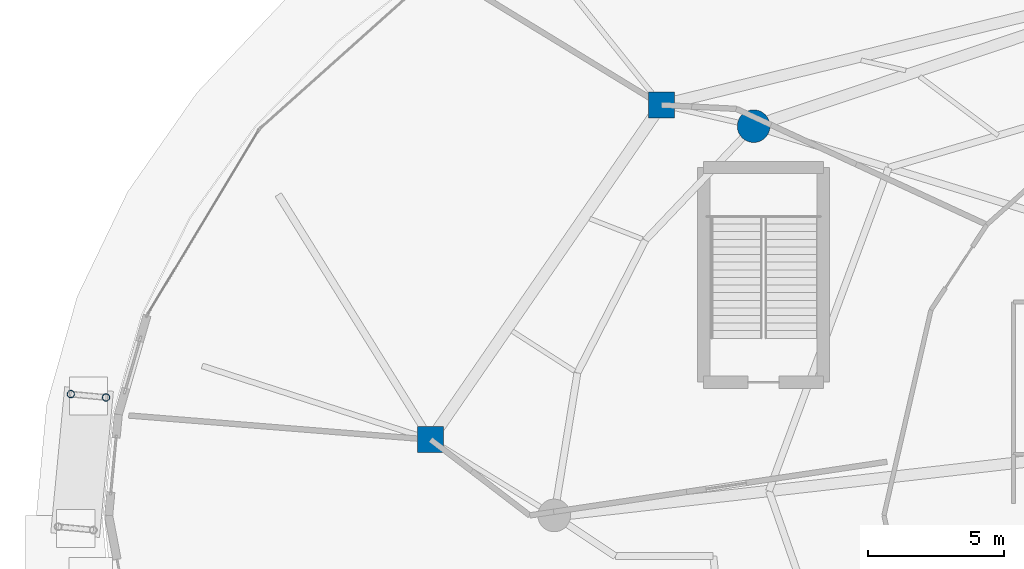
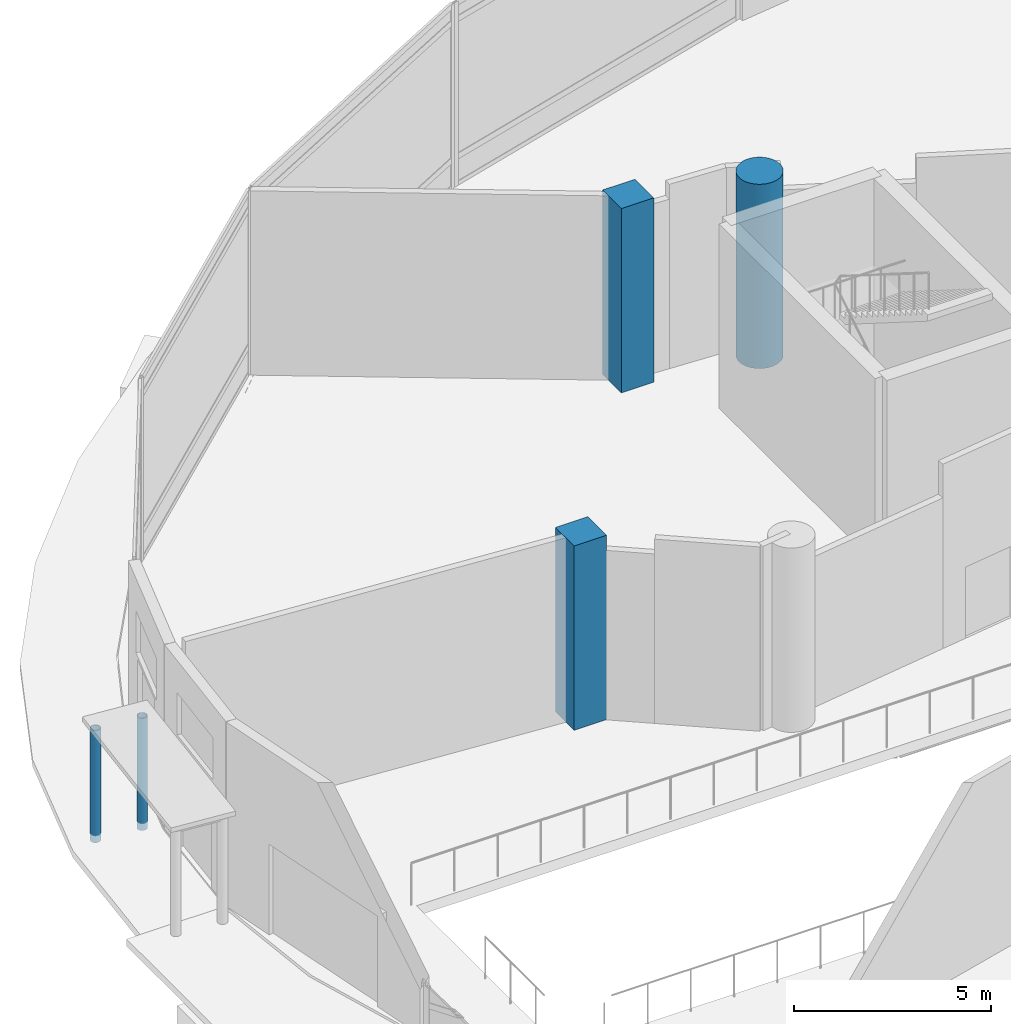
# One storey, part 4 of 40: 5 columns.
"""IFC4 building model written with IfcOpenShell, lengths in metres."""

from ifc_helpers import new_model, si_unit, direction, frame, origin, origin_2d, place, context, subcontext, project, spatial, rectangle, circle, hollow_circle, extrude, material, material_profile, profile_set, type_object, element, save


model = new_model("IFC4")

# Units and contexts
model_context = context("Model", 3, precision=1e-05, world=origin(), true_north=direction((0.0, 1.0)))
body_context = subcontext(model_context, "Body", "Model", "MODEL_VIEW")
ifc_project = project(units=[si_unit("LENGTHUNIT", "METRE"), si_unit("AREAUNIT", "SQUARE_METRE"), si_unit("VOLUMEUNIT", "CUBIC_METRE"), si_unit("PLANEANGLEUNIT", "RADIAN"), si_unit("MASSUNIT", "GRAM", prefix="KILO")], contexts=[model_context])

# Site, building, storey
site_placement = place(None, origin())
site = spatial("IfcSite", under=ifc_project, at=site_placement, CompositionType="ELEMENT")
building_placement = place(site_placement, origin())
building = spatial("IfcBuilding", under=site, at=building_placement, Name="Nuhasar Tower", CompositionType="ELEMENT")
storey_placement = place(building_placement, origin())
storey = spatial("IfcBuildingStorey", under=building, at=storey_placement, Name="L00", CompositionType="ELEMENT", Elevation=0.0)

# Columns
ifc_material_1 = material(Name="Concrete C80/95", Category="concrete")
ifc_material_profile_1 = material_profile(ifc_material_1, circle(Radius=0.60009765625, at=origin_2d()), Name="CFT1200")
ifc_profile_set_1 = profile_set([ifc_material_profile_1], Name="Concrete C80/95")
column_type_1 = type_object("IfcColumnType", Name="COL-CFT-1200", PredefinedType="COLUMN", material=ifc_profile_set_1)
column_placement = place(storey_placement, frame((21.287109375, 41.118896484375, 0.0), z_axis=(0.0, 0.0, 1.0), x_axis=(1.0, 0.0, 0.0)))
element("IfcColumn", 1, at=column_placement, inside=storey, type_object=column_type_1, Name="L00 Perimeter Composite Column TC-10", PredefinedType="COLUMN", context=body_context, shape_type="SweptSolid", body=[
    extrude(circle(Radius=0.60009765625, at=origin_2d()), origin(), (0.0, 0.0, 1.0), 5.699951171875),
])
ifc_material_2 = material(Name="Steel S460", Category="steel")
ifc_material_profile_2 = material_profile(ifc_material_2, hollow_circle(Radius=0.136474609375, WallThickness=0.0126953125, at=origin_2d()), Name="HSS273.1X12.7")
ifc_profile_set_2 = profile_set([ifc_material_profile_2], Name="Steel S460")
column_type_2 = type_object("IfcColumnType", Name="COL-CNP-273", PredefinedType="COLUMN", material=ifc_profile_set_2)
for number, where, z_axis, x_axis, name in (
    (2, (-2.535888671875, 31.138916015625, -0.219970703125), (0.0, 0.0, 1.0), (1.0, 0.0, 0.0), "L00 Canopy Inner Post NorthWest 1"),
    (3, (-3.8310546875, 31.261962890625, -0.219970703125), (0.0, 0.0, 1.0), (1.0, 0.0, 0.0), "L00 Canopy Outer Post NorthWest 1"),
):
    element("IfcColumn", number, at=place(storey_placement, frame(where, z_axis=z_axis, x_axis=x_axis)), inside=storey, type_object=column_type_2, Name=name, PredefinedType="COLUMN", context=body_context, shape_type="SweptSolid", body=[
        extrude(hollow_circle(Radius=0.136474609375, WallThickness=0.0126953125, at=origin_2d()), origin(), (0.0, 0.0, 1.0), 3.469970703125),
    ])
ifc_material_3 = material(Name="Concrete C60/75", Category="concrete")
ifc_material_profile_3 = material_profile(ifc_material_3, rectangle(XDim=0.949951171875, YDim=0.949951171875, at=origin_2d()), Name="RC950X950")
ifc_profile_set_3 = profile_set([ifc_material_profile_3], Name="Concrete C60/75")
column_type_3 = type_object("IfcColumnType", Name="COL-POD-950", PredefinedType="COLUMN", material=ifc_profile_set_3)
for number, where, z_axis, x_axis, name in (
    (4, (17.89306640625, 41.89697265625, 0.0), (0.0, 0.0, 1.0), (1.0, 0.0, 0.0), "L00 Podium Perimeter Column PC-03"),
    (5, (9.405029296875, 29.5869140625, 0.0), (0.0, 0.0, 1.0), (1.0, 0.0, 0.0), "L00 Podium Perimeter Column PC-04"),
):
    element("IfcColumn", number, at=place(storey_placement, frame(where, z_axis=z_axis, x_axis=x_axis)), inside=storey, type_object=column_type_3, Name=name, PredefinedType="COLUMN", context=body_context, shape_type="SweptSolid", body=[
        extrude(rectangle(XDim=0.949951171875, YDim=0.949951171875, at=origin_2d()), origin(), (0.0, 0.0, 1.0), 5.699951171875),
    ])

save(model, "model.ifc")
